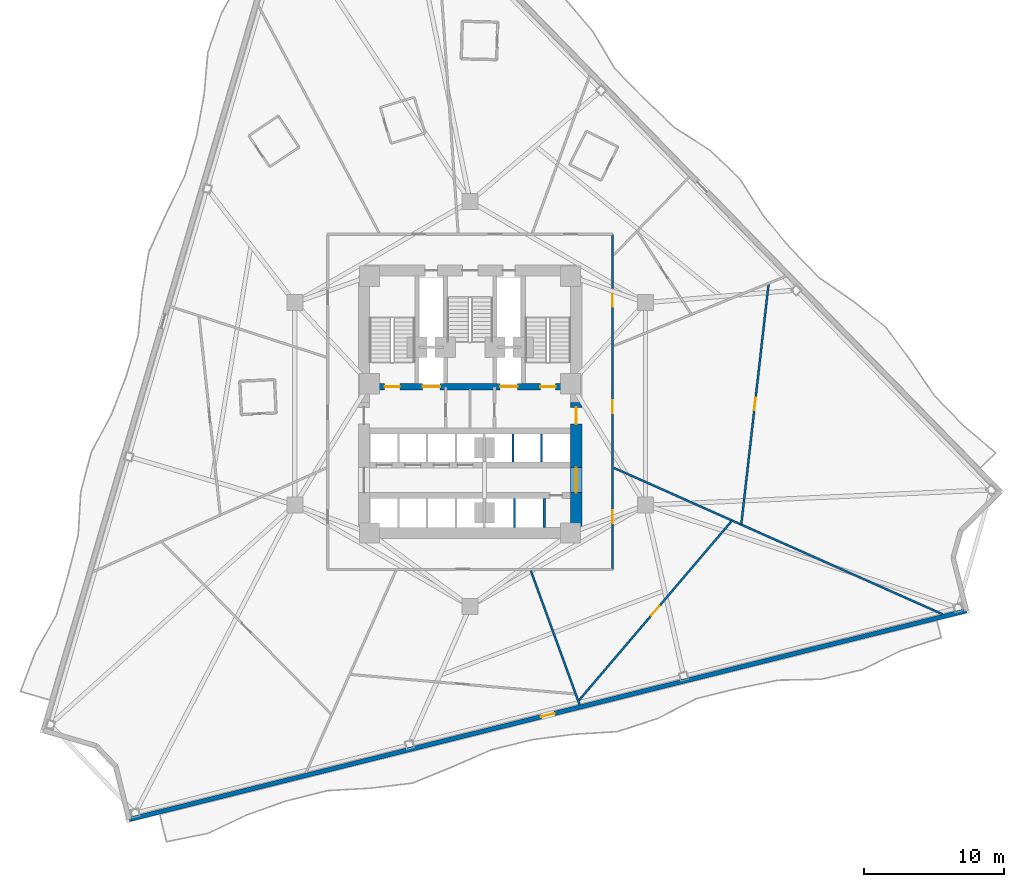
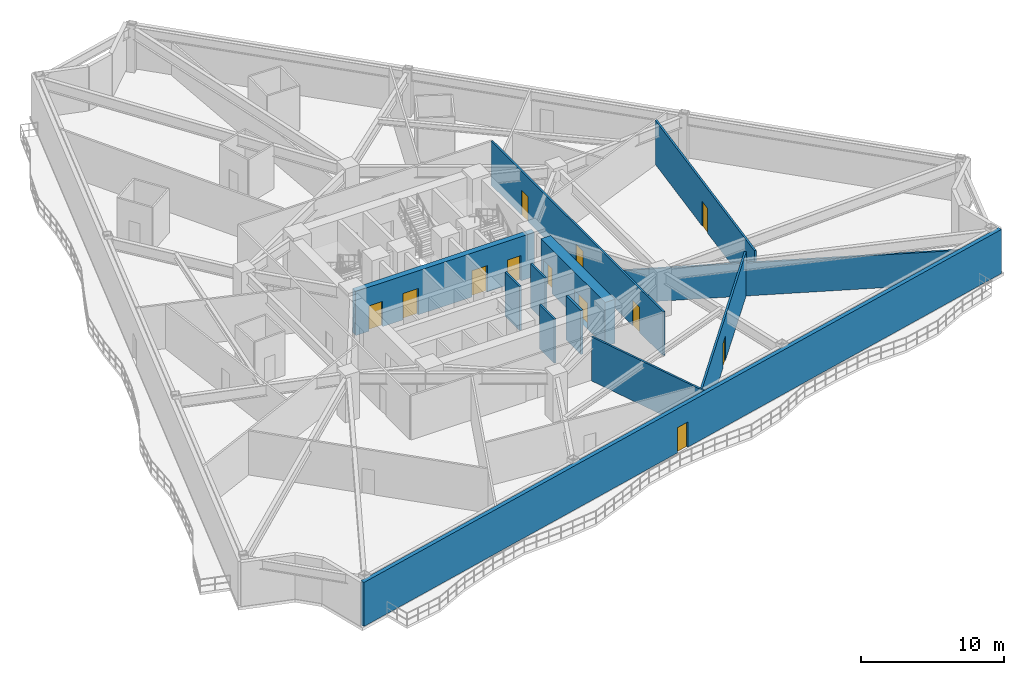
# One storey, part 4 of 10: 12 doors, 12 walls, 12 openings.
"""IFC4 building model written with IfcOpenShell, lengths in metres."""

from ifc_helpers import new_model, si_unit, direction, frame, frame_2d, origin, place, context, subcontext, project, spatial, rectangle, extrude, material, layer, layer_set, type_object, element, fill, save


model = new_model("IFC4")

# Units and contexts
model_context = context("Model", 3, precision=1e-05, world=origin(), true_north=direction((0.0, 1.0)))
body_context = subcontext(model_context, "Body", "Model", "MODEL_VIEW")
ifc_project = project(units=[si_unit("LENGTHUNIT", "METRE"), si_unit("AREAUNIT", "SQUARE_METRE"), si_unit("VOLUMEUNIT", "CUBIC_METRE"), si_unit("PLANEANGLEUNIT", "RADIAN"), si_unit("MASSUNIT", "GRAM", prefix="KILO")], contexts=[model_context])

# Site, building, storey
site_placement = place(None, origin())
site = spatial("IfcSite", under=ifc_project, at=site_placement, CompositionType="ELEMENT")
building_placement = place(site_placement, origin())
building = spatial("IfcBuilding", under=site, at=building_placement, Name="Apsidion Concourse Tower", CompositionType="ELEMENT")
storey_placement = place(building_placement, frame((0.0, 0.0, 99.0)))
storey = spatial("IfcBuildingStorey", under=building, at=storey_placement, Name="L22", CompositionType="ELEMENT", Elevation=99.0)

# Wall, opening, door
ifc_material_1 = material(Name="Precast concrete C40/50", Category="concrete")
ifc_layer_1 = layer(ifc_material_1, 0.320068359375)
ifc_layer_set_1 = layer_set([ifc_layer_1], Name="Precast concrete C40/50")
wall_type_1 = type_object("IfcWallType", Name="WL-EXT-320", PredefinedType="STANDARD", material=ifc_layer_set_1)
wall_1_placement = place(storey_placement, frame((35.546142578125, -14.818359375, 0.0), z_axis=(0.0, 0.0, 1.0), x_axis=(-0.970295883146, -0.241921266428, 0.0)))
wall_1 = element("IfcWall", 1, at=wall_1_placement, inside=storey, type_object=wall_type_1, Name="L22 Precast Stone Facade Wall 05", PredefinedType="STANDARD", context=body_context, shape_type="SweptSolid", body=[
    extrude(rectangle(XDim=61.810791015625, YDim=0.320068359375, at=frame_2d((30.9052734375, 0.0))), origin(), (0.0, 0.0, 1.0), 3.75),
])
opening_1_placement = place(wall_1_placement, frame((30.405517578125, 0.0, 0.0)))
opening_1 = element("IfcOpeningElement", 2, at=opening_1_placement, cuts=wall_1, Name="Opening D-T1R", PredefinedType="OPENING", context=body_context, shape_type="SweptSolid", body=[
    extrude(rectangle(XDim=1.0, YDim=2.14990234375, at=frame_2d((0.5, 1.074951171875))), frame((0.0, 0.169921875, 0.0), z_axis=(0.0, -1.0, 0.0), x_axis=(1.0, 0.0, 0.0)), (0.0, 0.0, 1.0), 0.340087890625),
])
ifc_material_2 = material(Name="Anodised aluminium EN AW-6063 T6", Category="aluminium")
door_type_1 = type_object("IfcDoorType", Name="DR-TER-1022R", OperationType="SINGLE_SWING_RIGHT", PredefinedType="DOOR", material=ifc_material_2)
door_1_placement = place(opening_1_placement, origin())
door_1 = element("IfcDoor", 3, at=door_1_placement, inside=storey, type_object=door_type_1, Name="L22 Balcony Access Door 2", OperationType="SINGLE_SWING_RIGHT", OverallHeight=2.14990234375, OverallWidth=1.0, PredefinedType="DOOR", context=body_context, shape_type="SweptSolid", body=[
    extrude(rectangle(XDim=1.0, YDim=2.14990234375, at=frame_2d((0.5, 1.074951171875))), frame((0.0, 0.02490234375, 0.0), z_axis=(0.0, -1.0, 0.0), x_axis=(1.0, 0.0, 0.0)), (0.0, 0.0, 1.0), 0.050048828125),
])
fill(opening_1, door_1)

# Walls
ifc_material_3 = material(Name="Gypsum plasterboard partition")
ifc_layer_2 = layer(ifc_material_3, 0.14990234375)
ifc_layer_set_2 = layer_set([ifc_layer_2], Name="Gypsum plasterboard partition")
wall_type_2 = type_object("IfcWallType", Name="WL-INT-PAR-150", PredefinedType="PARTITIONING", material=ifc_layer_set_2)
for number, where, z_axis, x_axis, name in (
    (4, (3.074951171875, -4.179931640625, 0.0), (0.0, 0.0, 1.0), (0.0, 1.0, 0.0), "L22 Interior Partition WL-L22-B3DIV-1"),
    (5, (5.125, -4.179931640625, 0.0), (0.0, 0.0, 1.0), (0.0, 1.0, 0.0), "L22 Interior Partition WL-L22-B3DIV-2"),
):
    element("IfcWall", number, at=place(storey_placement, frame(where, z_axis=z_axis, x_axis=x_axis)), inside=storey, type_object=wall_type_2, Name=name, PredefinedType="PARTITIONING", context=body_context, shape_type="SweptSolid", body=[
        extrude(rectangle(XDim=2.030029296875, YDim=0.14990234375, at=frame_2d((1.01513671875, 0.0))), origin(), (0.0, 0.0, 1.0), 3.75),
    ])
wall_2_placement = place(storey_placement, frame((3.175048828125, -8.85009765625, 0.0), z_axis=(0.0, 0.0, 1.0), x_axis=(0.0, 1.0, 0.0)))
element("IfcWall", 6, at=wall_2_placement, inside=storey, type_object=wall_type_2, Name="L22 Interior Partition WL-L22-SHDIV-1", PredefinedType="PARTITIONING", context=body_context, shape_type="SweptSolid", body=[
    extrude(rectangle(XDim=2.080078125, YDim=0.14990234375, at=frame_2d((1.0400390625, 0.0))), origin(), (0.0, 0.0, 1.0), 3.75),
])

# Wall, openings, doors
wall_3_placement = place(storey_placement, frame((10.199951171875, 12.14990234375, 0.0), z_axis=(0.0, 0.0, 1.0), x_axis=(0.0, -1.0, 0.0)))
wall_3 = element("IfcWall", 7, at=wall_3_placement, inside=storey, type_object=wall_type_2, Name="L22 Interior Partition WL-L22-CORR-02", PredefinedType="PARTITIONING", context=body_context, shape_type="SweptSolid", body=[
    extrude(rectangle(XDim=24.0, YDim=0.14990234375, at=frame_2d((12.0, 0.0))), origin(), (0.0, 0.0, 1.0), 3.75),
])
opening_2_placement = place(wall_3_placement, frame((19.76416015625, 0.0, 0.0)))
opening_2 = element("IfcOpeningElement", 8, at=opening_2_placement, cuts=wall_3, Name="Opening D-01R", PredefinedType="OPENING", context=body_context, shape_type="SweptSolid", body=[
    extrude(rectangle(XDim=0.949951171875, YDim=2.14990234375, at=frame_2d((0.47509765625, 1.074951171875))), frame((0.0, 0.0849609375, 0.0), z_axis=(0.0, -1.0, 0.0), x_axis=(1.0, 0.0, 0.0)), (0.0, 0.0, 1.0), 0.169921875),
])
opening_3_placement = place(wall_3_placement, frame((11.887451171875, 0.0, 0.0)))
opening_3 = element("IfcOpeningElement", 9, at=opening_3_placement, cuts=wall_3, Name="Opening D-01L", PredefinedType="OPENING", context=body_context, shape_type="SweptSolid", body=[
    extrude(rectangle(XDim=0.949951171875, YDim=2.14990234375, at=frame_2d((0.47509765625, 1.074951171875))), frame((0.0, 0.0849609375, 0.0), z_axis=(0.0, -1.0, 0.0), x_axis=(1.0, 0.0, 0.0)), (0.0, 0.0, 1.0), 0.169921875),
])
opening_4_placement = place(wall_3_placement, frame((4.25048828125, 0.0, 0.0)))
opening_4 = element("IfcOpeningElement", 10, at=opening_4_placement, cuts=wall_3, Name="Opening D-01R", PredefinedType="OPENING", context=body_context, shape_type="SweptSolid", body=[
    extrude(rectangle(XDim=0.949951171875, YDim=2.14990234375, at=frame_2d((0.47509765625, 1.074951171875))), frame((0.0, 0.0849609375, 0.0), z_axis=(0.0, -1.0, 0.0), x_axis=(1.0, 0.0, 0.0)), (0.0, 0.0, 1.0), 0.169921875),
])
ifc_material_4 = material(Name="Brushed stainless steel 316", Category="steel")
door_type_2 = type_object("IfcDoorType", Name="DR-INT-D01L", OperationType="SINGLE_SWING_LEFT", PredefinedType="DOOR", material=ifc_material_4)
door_2_placement = place(opening_3_placement, origin())
door_2 = element("IfcDoor", 11, at=door_2_placement, inside=storey, type_object=door_type_2, Name="L22 Corridor Entry Door 05", OperationType="SINGLE_SWING_LEFT", OverallHeight=2.14990234375, OverallWidth=0.949951171875, PredefinedType="DOOR", context=body_context, shape_type="SweptSolid", body=[
    extrude(rectangle(XDim=0.949951171875, YDim=2.14990234375, at=frame_2d((0.47509765625, 1.074951171875))), frame((0.0, 0.02490234375, 0.0), z_axis=(0.0, -1.0, 0.0), x_axis=(1.0, 0.0, 0.0)), (0.0, 0.0, 1.0), 0.050048828125),
])
fill(opening_3, door_2)
door_type_3 = type_object("IfcDoorType", Name="DR-INT-D01R", OperationType="SINGLE_SWING_RIGHT", PredefinedType="DOOR", material=ifc_material_4)
door_3_placement = place(opening_2_placement, origin())
door_3 = element("IfcDoor", 12, at=door_3_placement, inside=storey, type_object=door_type_3, Name="L22 Corridor Entry Door 04", OperationType="SINGLE_SWING_RIGHT", OverallHeight=2.14990234375, OverallWidth=0.949951171875, PredefinedType="DOOR", context=body_context, shape_type="SweptSolid", body=[
    extrude(rectangle(XDim=0.949951171875, YDim=2.14990234375, at=frame_2d((0.47509765625, 1.074951171875))), frame((0.0, 0.02490234375, 0.0), z_axis=(0.0, -1.0, 0.0), x_axis=(1.0, 0.0, 0.0)), (0.0, 0.0, 1.0), 0.050048828125),
])
fill(opening_2, door_3)
door_4_placement = place(opening_4_placement, origin())
door_4 = element("IfcDoor", 13, at=door_4_placement, inside=storey, type_object=door_type_3, Name="L22 Corridor Entry Door 06", OperationType="SINGLE_SWING_RIGHT", OverallHeight=2.14990234375, OverallWidth=0.949951171875, PredefinedType="DOOR", context=body_context, shape_type="SweptSolid", body=[
    extrude(rectangle(XDim=0.949951171875, YDim=2.14990234375, at=frame_2d((0.47509765625, 1.074951171875))), frame((0.0, 0.02490234375, 0.0), z_axis=(0.0, -1.0, 0.0), x_axis=(1.0, 0.0, 0.0)), (0.0, 0.0, 1.0), 0.050048828125),
])
fill(opening_4, door_4)

# Walls
wall_4_placement = place(storey_placement, frame((4.351318359375, -11.955078125, 0.0), z_axis=(0.0, 0.0, 1.0), x_axis=(0.342010030597, -0.939696301456, 0.0)))
element("IfcWall", 14, at=wall_4_placement, inside=storey, type_object=wall_type_2, Name="L22 Interior Partition WL-L22-RAD-09-1", PredefinedType="PARTITIONING", context=body_context, shape_type="SweptSolid", body=[
    extrude(rectangle(XDim=10.205810546875, YDim=0.14990234375, at=frame_2d((5.10302734375, 0.0))), origin(), (0.0, 0.0, 1.0), 3.75),
])
wall_5_placement = place(storey_placement, frame((10.304931640625, -4.588134765625, 0.0), z_axis=(0.0, 0.0, 1.0), x_axis=(0.913547521207, -0.406732008202, 0.0)))
element("IfcWall", 15, at=wall_5_placement, inside=storey, type_object=wall_type_2, Name="L22 Interior Partition WL-L22-RAD-10-1", PredefinedType="PARTITIONING", context=body_context, shape_type="SweptSolid", body=[
    extrude(rectangle(XDim=25.75732421875, YDim=0.14990234375, at=frame_2d((12.878662109375, 0.0))), origin(), (0.0, 0.0, 1.0), 2.798095703125),
])

# Wall, opening, door
wall_6_placement = place(storey_placement, frame((7.768310546875, -21.269775390625, 0.0), z_axis=(0.0, 0.0, 1.0), x_axis=(0.648490276355, 0.761222938089, 0.0)))
wall_6 = element("IfcWall", 16, at=wall_6_placement, inside=storey, type_object=wall_type_2, Name="L22 Interior Partition WL-L22-CHD-HXS03", PredefinedType="PARTITIONING", context=body_context, shape_type="SweptSolid", body=[
    extrude(rectangle(XDim=16.937744140625, YDim=0.14990234375, at=frame_2d((8.46875, 0.0))), origin(), (0.0, 0.0, 1.0), 3.75),
])
opening_5_placement = place(wall_6_placement, frame((8.018798828125, 0.0, 0.0)))
opening_5 = element("IfcOpeningElement", 17, at=opening_5_placement, cuts=wall_6, Name="Opening D-02L", PredefinedType="OPENING", context=body_context, shape_type="SweptSolid", body=[
    extrude(rectangle(XDim=0.89990234375, YDim=2.10009765625, at=frame_2d((0.449951171875, 1.050048828125))), frame((0.0, 0.0849609375, 0.0), z_axis=(0.0, -1.0, 0.0), x_axis=(1.0, 0.0, 0.0)), (0.0, 0.0, 1.0), 0.169921875),
])
door_type_4 = type_object("IfcDoorType", Name="DR-INT-D02L", OperationType="SINGLE_SWING_LEFT", PredefinedType="DOOR", material=ifc_material_2)
door_5_placement = place(opening_5_placement, origin())
door_5 = element("IfcDoor", 18, at=door_5_placement, inside=storey, type_object=door_type_4, Name="L22 Suite Connecting Door HXS03", OperationType="SINGLE_SWING_LEFT", OverallHeight=2.10009765625, OverallWidth=0.89990234375, PredefinedType="DOOR", context=body_context, shape_type="SweptSolid", body=[
    extrude(rectangle(XDim=0.89990234375, YDim=2.10009765625, at=frame_2d((0.449951171875, 1.050048828125))), frame((0.0, 0.02490234375, 0.0), z_axis=(0.0, -1.0, 0.0), x_axis=(1.0, 0.0, 0.0)), (0.0, 0.0, 1.0), 0.050048828125),
])
fill(opening_5, door_5)

wall_7_placement = place(storey_placement, frame((19.426025390625, -8.62158203125, 0.0), z_axis=(0.0, 0.0, 1.0), x_axis=(0.112844312571, 0.993612681642, 0.0)))
wall_7 = element("IfcWall", 19, at=wall_7_placement, inside=storey, type_object=wall_type_2, Name="L22 Interior Partition WL-L22-CHD-H8G04", PredefinedType="PARTITIONING", context=body_context, shape_type="SweptSolid", body=[
    extrude(rectangle(XDim=17.344970703125, YDim=0.14990234375, at=frame_2d((8.67236328125, 0.0))), origin(), (0.0, 0.0, 1.0), 3.75),
])
opening_6_placement = place(wall_7_placement, frame((8.222412109375, 0.0, 0.0)))
opening_6 = element("IfcOpeningElement", 20, at=opening_6_placement, cuts=wall_7, Name="Opening D-02L", PredefinedType="OPENING", context=body_context, shape_type="SweptSolid", body=[
    extrude(rectangle(XDim=0.89990234375, YDim=2.10009765625, at=frame_2d((0.449951171875, 1.050048828125))), frame((0.0, 0.0849609375, 0.0), z_axis=(0.0, -1.0, 0.0), x_axis=(1.0, 0.0, 0.0)), (0.0, 0.0, 1.0), 0.169921875),
])
door_6_placement = place(opening_6_placement, origin())
door_6 = element("IfcDoor", 21, at=door_6_placement, inside=storey, type_object=door_type_4, Name="L22 Suite Connecting Door H8G04", OperationType="SINGLE_SWING_LEFT", OverallHeight=2.10009765625, OverallWidth=0.89990234375, PredefinedType="DOOR", context=body_context, shape_type="SweptSolid", body=[
    extrude(rectangle(XDim=0.89990234375, YDim=2.10009765625, at=frame_2d((0.449951171875, 1.050048828125))), frame((0.0, 0.02490234375, 0.0), z_axis=(0.0, -1.0, 0.0), x_axis=(1.0, 0.0, 0.0)), (0.0, 0.0, 1.0), 0.050048828125),
])
fill(opening_6, door_6)

# Wall
ifc_layer_3 = layer(ifc_material_3, 0.179931640625)
ifc_layer_set_3 = layer_set([ifc_layer_3], Name="Gypsum plasterboard partition")
wall_type_3 = type_object("IfcWallType", Name="WL-INT-PAR-180", PredefinedType="PARTITIONING", material=ifc_layer_set_3)
wall_8_placement = place(storey_placement, frame((5.324951171875, -8.85009765625, 0.0), z_axis=(0.0, 0.0, 1.0), x_axis=(0.0, 1.0, 0.0)))
element("IfcWall", 22, at=wall_8_placement, inside=storey, type_object=wall_type_3, Name="L22 Interior Partition WL-L22-SHDIV-2", PredefinedType="PARTITIONING", context=body_context, shape_type="SweptSolid", body=[
    extrude(rectangle(XDim=2.080078125, YDim=0.179931640625, at=frame_2d((1.0400390625, 0.0))), origin(), (0.0, 0.0, 1.0), 3.75),
])

# Wall, openings, doors
ifc_material_5 = material(Name="Concrete C60/75", Category="concrete")
ifc_layer_4 = layer(ifc_material_5, 0.449951171875)
ifc_layer_set_4 = layer_set([ifc_layer_4], Name="Concrete C60/75")
wall_type_4 = type_object("IfcWallType", Name="WL-SH-450", PredefinedType="SHEAR", material=ifc_layer_set_4)
wall_9_placement = place(storey_placement, frame((-7.199951171875, 1.22509765625, 0.0), z_axis=(0.0, 0.0, 1.0), x_axis=(1.0, 0.0, 0.0)))
wall_9 = element("IfcWall", 23, at=wall_9_placement, inside=storey, type_object=wall_type_4, Name="L22 Central Core Shear Wall M1", PredefinedType="SHEAR", context=body_context, shape_type="SweptSolid", body=[
    extrude(rectangle(XDim=14.39990234375, YDim=0.449951171875, at=frame_2d((7.199951171875, 0.0))), origin(), (0.0, 0.0, 1.0), 3.75),
])
opening_7_placement = place(wall_9_placement, frame((3.794921875, 0.0, 0.0)))
opening_7 = element("IfcOpeningElement", 24, at=opening_7_placement, cuts=wall_9, Name="Opening LD-FF", PredefinedType="OPENING", context=body_context, shape_type="SweptSolid", body=[
    extrude(rectangle(XDim=1.25, YDim=2.25, at=frame_2d((0.625, 1.125))), frame((0.0, 0.23486328125, 0.0), z_axis=(0.0, -1.0, 0.0), x_axis=(1.0, 0.0, 0.0)), (0.0, 0.0, 1.0), 0.469970703125),
])
opening_8_placement = place(wall_9_placement, frame((9.35498046875, 0.0, 0.0)))
opening_8 = element("IfcOpeningElement", 25, at=opening_8_placement, cuts=wall_9, Name="Opening LD-FF", PredefinedType="OPENING", context=body_context, shape_type="SweptSolid", body=[
    extrude(rectangle(XDim=1.25, YDim=2.25, at=frame_2d((0.625, 1.125))), frame((0.0, 0.23486328125, 0.0), z_axis=(0.0, -1.0, 0.0), x_axis=(1.0, 0.0, 0.0)), (0.0, 0.0, 1.0), 0.469970703125),
])
opening_9_placement = place(wall_9_placement, frame((1.074951171875, 0.0, 0.0)))
opening_9 = element("IfcOpeningElement", 26, at=opening_9_placement, cuts=wall_9, Name="Opening D-STL", PredefinedType="OPENING", context=body_context, shape_type="SweptSolid", body=[
    extrude(rectangle(XDim=1.10009765625, YDim=2.14990234375, at=frame_2d((0.550048828125, 1.074951171875))), frame((0.0, 0.23486328125, 0.0), z_axis=(0.0, -1.0, 0.0), x_axis=(1.0, 0.0, 0.0)), (0.0, 0.0, 1.0), 0.469970703125),
])
opening_10_placement = place(wall_9_placement, frame((12.22509765625, 0.0, 0.0)))
opening_10 = element("IfcOpeningElement", 27, at=opening_10_placement, cuts=wall_9, Name="Opening D-STR", PredefinedType="OPENING", context=body_context, shape_type="SweptSolid", body=[
    extrude(rectangle(XDim=1.10009765625, YDim=2.14990234375, at=frame_2d((0.550048828125, 1.074951171875))), frame((0.0, 0.23486328125, 0.0), z_axis=(0.0, -1.0, 0.0), x_axis=(1.0, 0.0, 0.0)), (0.0, 0.0, 1.0), 0.469970703125),
])
door_type_5 = type_object("IfcDoorType", Name="DR-INT-ST1L", OperationType="SINGLE_SWING_LEFT", PredefinedType="DOOR", material=ifc_material_4)
door_7_placement = place(opening_9_placement, origin())
door_7 = element("IfcDoor", 28, at=door_7_placement, inside=storey, type_object=door_type_5, Name="L22 Core Exit Stair ST1 Door", OperationType="SINGLE_SWING_LEFT", OverallHeight=2.14990234375, OverallWidth=1.10009765625, PredefinedType="DOOR", context=body_context, shape_type="SweptSolid", body=[
    extrude(rectangle(XDim=1.10009765625, YDim=2.14990234375, at=frame_2d((0.550048828125, 1.074951171875))), frame((0.0, 0.02490234375, 0.0), z_axis=(0.0, -1.0, 0.0), x_axis=(1.0, 0.0, 0.0)), (0.0, 0.0, 1.0), 0.050048828125),
])
fill(opening_9, door_7)
door_type_6 = type_object("IfcDoorType", Name="DR-INT-ST1R", OperationType="SINGLE_SWING_RIGHT", PredefinedType="DOOR", material=ifc_material_4)
door_8_placement = place(opening_10_placement, origin())
door_8 = element("IfcDoor", 29, at=door_8_placement, inside=storey, type_object=door_type_6, Name="L22 Core Exit Stair ST2 Door", OperationType="SINGLE_SWING_RIGHT", OverallHeight=2.14990234375, OverallWidth=1.10009765625, PredefinedType="DOOR", context=body_context, shape_type="SweptSolid", body=[
    extrude(rectangle(XDim=1.10009765625, YDim=2.14990234375, at=frame_2d((0.550048828125, 1.074951171875))), frame((0.0, 0.02490234375, 0.0), z_axis=(0.0, -1.0, 0.0), x_axis=(1.0, 0.0, 0.0)), (0.0, 0.0, 1.0), 0.050048828125),
])
fill(opening_10, door_8)
door_type_7 = type_object("IfcDoorType", Name="DR-LD-FSAE", OperationType="DOUBLE_DOOR_SLIDING", PredefinedType="DOOR", material=ifc_material_4)
door_9_placement = place(opening_7_placement, origin())
door_9 = element("IfcDoor", 30, at=door_9_placement, inside=storey, type_object=door_type_7, Name="L22 Lift Landing Door FF1", OperationType="DOUBLE_DOOR_SLIDING", OverallHeight=2.25, OverallWidth=1.25, PredefinedType="DOOR", context=body_context, shape_type="SweptSolid", body=[
    extrude(rectangle(XDim=1.25, YDim=2.25, at=frame_2d((0.625, 1.125))), frame((0.0, 0.02490234375, 0.0), z_axis=(0.0, -1.0, 0.0), x_axis=(1.0, 0.0, 0.0)), (0.0, 0.0, 1.0), 0.050048828125),
])
fill(opening_7, door_9)
door_10_placement = place(opening_8_placement, origin())
door_10 = element("IfcDoor", 31, at=door_10_placement, inside=storey, type_object=door_type_7, Name="L22 Lift Landing Door FF2", OperationType="DOUBLE_DOOR_SLIDING", OverallHeight=2.25, OverallWidth=1.25, PredefinedType="DOOR", context=body_context, shape_type="SweptSolid", body=[
    extrude(rectangle(XDim=1.25, YDim=2.25, at=frame_2d((0.625, 1.125))), frame((0.0, 0.02490234375, 0.0), z_axis=(0.0, -1.0, 0.0), x_axis=(1.0, 0.0, 0.0)), (0.0, 0.0, 1.0), 0.050048828125),
])
fill(opening_8, door_10)

ifc_layer_5 = layer(ifc_material_5, 0.800048828125)
ifc_layer_set_5 = layer_set([ifc_layer_5], Name="Concrete C60/75")
wall_type_5 = type_object("IfcWallType", Name="WL-SH-800", PredefinedType="SHEAR", material=ifc_layer_set_5)
wall_10_placement = place(storey_placement, frame((7.60009765625, -8.85009765625, 0.0), z_axis=(0.0, 0.0, 1.0), x_axis=(0.0, 1.0, 0.0)))
wall_10 = element("IfcWall", 32, at=wall_10_placement, inside=storey, type_object=wall_type_5, Name="L22 Central Core Shear Wall ES", PredefinedType="SHEAR", context=body_context, shape_type="SweptSolid", body=[
    extrude(rectangle(XDim=8.9501953125, YDim=0.800048828125, at=frame_2d((4.47509765625, 0.0))), origin(), (0.0, 0.0, 1.0), 3.75),
])
opening_11_placement = place(wall_10_placement, frame((2.489990234375, 0.0, 0.0)))
opening_11 = element("IfcOpeningElement", 33, at=opening_11_placement, cuts=wall_10, Name="Opening D-06D", PredefinedType="OPENING", context=body_context, shape_type="SweptSolid", body=[
    extrude(rectangle(XDim=1.800048828125, YDim=2.199951171875, at=frame_2d((0.89990234375, 1.10009765625))), frame((0.0, 0.41015625, 0.0), z_axis=(0.0, -1.0, 0.0), x_axis=(1.0, 0.0, 0.0)), (0.0, 0.0, 1.0), 0.820068359375),
])
opening_12_placement = place(wall_10_placement, frame((7.39990234375, 0.0, 0.0)))
opening_12 = element("IfcOpeningElement", 34, at=opening_12_placement, cuts=wall_10, Name="Opening D-FFR", PredefinedType="OPENING", context=body_context, shape_type="SweptSolid", body=[
    extrude(rectangle(XDim=1.199951171875, YDim=2.14990234375, at=frame_2d((0.60009765625, 1.074951171875))), frame((0.0, 0.41015625, 0.0), z_axis=(0.0, -1.0, 0.0), x_axis=(1.0, 0.0, 0.0)), (0.0, 0.0, 1.0), 0.820068359375),
])
door_type_8 = type_object("IfcDoorType", Name="DR-INT-D06D", OperationType="DOUBLE_DOOR_SINGLE_SWING", PredefinedType="DOOR", material=ifc_material_4)
door_11_placement = place(opening_11_placement, origin())
door_11 = element("IfcDoor", 35, at=door_11_placement, inside=storey, type_object=door_type_8, Name="L22 Passenger Lift Lobby ES Portal Door", OperationType="DOUBLE_DOOR_SINGLE_SWING", OverallHeight=2.199951171875, OverallWidth=1.800048828125, PredefinedType="DOOR", context=body_context, shape_type="SweptSolid", body=[
    extrude(rectangle(XDim=1.800048828125, YDim=2.199951171875, at=frame_2d((0.89990234375, 1.10009765625))), frame((0.0, 0.02490234375, 0.0), z_axis=(0.0, -1.0, 0.0), x_axis=(1.0, 0.0, 0.0)), (0.0, 0.0, 1.0), 0.050048828125),
])
fill(opening_11, door_11)
door_type_9 = type_object("IfcDoorType", Name="DR-INT-FFR", OperationType="SINGLE_SWING_RIGHT", PredefinedType="DOOR", material=ifc_material_4)
door_12_placement = place(opening_12_placement, origin())
door_12 = element("IfcDoor", 36, at=door_12_placement, inside=storey, type_object=door_type_9, Name="L22 Firefighting Lift Lobby FF2 Door", OperationType="SINGLE_SWING_RIGHT", OverallHeight=2.14990234375, OverallWidth=1.199951171875, PredefinedType="DOOR", context=body_context, shape_type="SweptSolid", body=[
    extrude(rectangle(XDim=1.199951171875, YDim=2.14990234375, at=frame_2d((0.60009765625, 1.074951171875))), frame((0.0, 0.02490234375, 0.0), z_axis=(0.0, -1.0, 0.0), x_axis=(1.0, 0.0, 0.0)), (0.0, 0.0, 1.0), 0.050048828125),
])
fill(opening_12, door_12)

save(model, "model.ifc")
